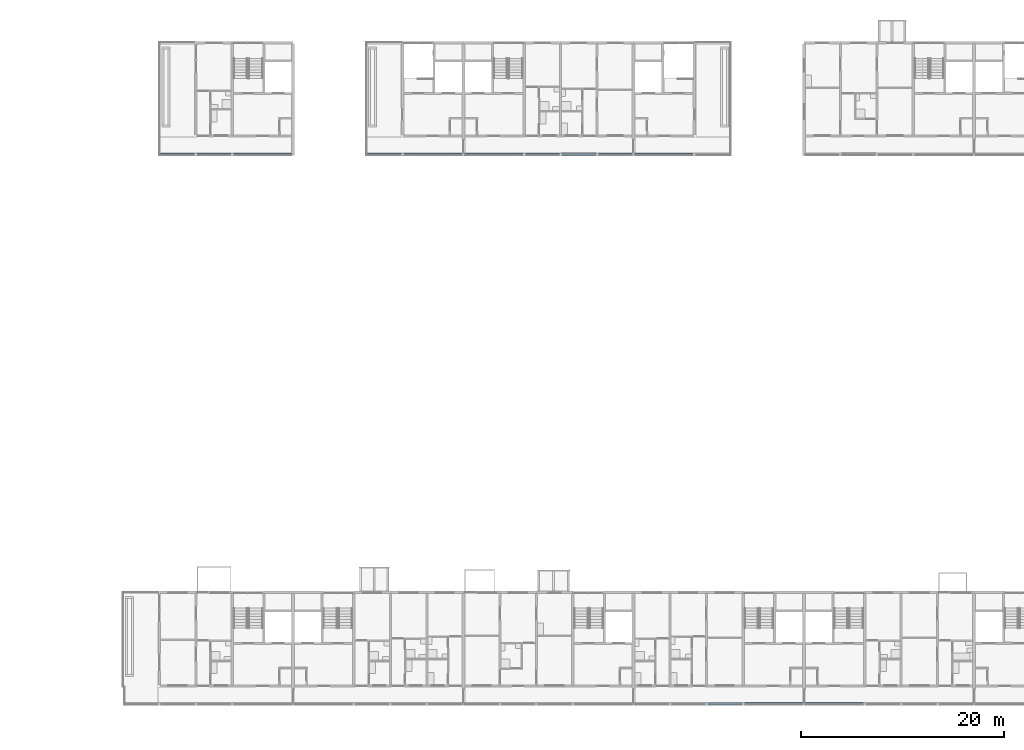
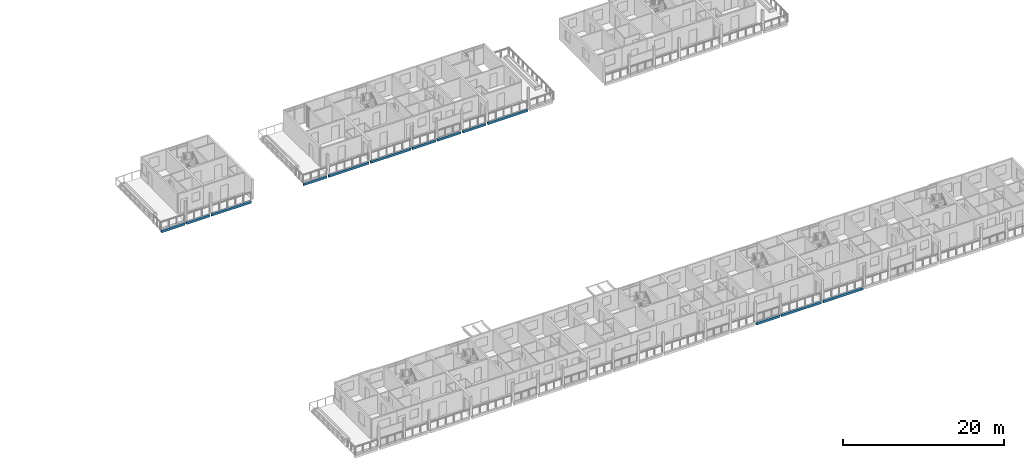
# One storey, part 17 of 87: 13 beams.
"""IFC4 building model written with IfcOpenShell, lengths in metres."""

from ifc_helpers import new_model, si_unit, direction, frame, origin, origin_2d, place, context, subcontext, project, spatial, rectangle, extrude, material, material_profile, profile_set, type_object, element, save


model = new_model("IFC4")

# Units and contexts
model_context = context("Model", 3, precision=1e-05, world=origin(), true_north=direction((0.0, 1.0)))
body_context = subcontext(model_context, "Body", "Model", "MODEL_VIEW")
ifc_project = project(units=[si_unit("LENGTHUNIT", "METRE"), si_unit("AREAUNIT", "SQUARE_METRE"), si_unit("VOLUMEUNIT", "CUBIC_METRE"), si_unit("PLANEANGLEUNIT", "RADIAN"), si_unit("MASSUNIT", "GRAM", prefix="KILO")], contexts=[model_context])

# Site, building, storey
site_placement = place(None, origin())
site = spatial("IfcSite", under=ifc_project, at=site_placement, CompositionType="ELEMENT")
building_placement = place(site_placement, origin())
building = spatial("IfcBuilding", under=site, at=building_placement, Name="Ridgestep Commons", CompositionType="ELEMENT")
storey_placement = place(building_placement, frame((0.0, 0.0, 27.0)))
storey = spatial("IfcBuildingStorey", under=building, at=storey_placement, Name="L09", CompositionType="ELEMENT", Elevation=27.0)

# Beams
ifc_material = material(Name="Precast concrete C40/50", Category="concrete")
ifc_material_profile = material_profile(ifc_material, rectangle(XDim=0.25, YDim=0.35009765625, at=origin_2d()), Name="PC 250x350")
ifc_profile_set = profile_set([ifc_material_profile], Name="Precast concrete C40/50")
beam_type = type_object("IfcBeamType", Name="Loggia edge beam 250 x 350", PredefinedType="SPANDREL", material=ifc_profile_set)
for number, where, z_axis, x_axis, name in (
    (1, (150.52490234375, 66.125, -0.375), (1.0, 0.0, 0.0), (0.0, 1.0, 0.0), "Loggia edge beam C1T2 L09"),
    (2, (154.125, 66.125, -0.375), (1.0, 0.0, 0.0), (0.0, 1.0, 0.0), "Loggia edge beam C1T3 L09"),
):
    element("IfcBeam", number, at=place(storey_placement, frame(where, z_axis=z_axis, x_axis=x_axis)), inside=storey, type_object=beam_type, Name=name, PredefinedType="SPANDREL", context=body_context, shape_type="SweptSolid", body=[
        extrude(rectangle(XDim=0.25, YDim=0.35009765625, at=origin_2d()), origin(), (0.0, 0.0, 1.0), 3.35009765625),
    ])
beam_1_placement = place(storey_placement, frame((157.72509765625, 66.125, -0.375), z_axis=(1.0, 0.0, 0.0), x_axis=(0.0, 1.0, 0.0)))
element("IfcBeam", 3, at=beam_1_placement, inside=storey, type_object=beam_type, Name="Loggia edge beam C1C L09", PredefinedType="SPANDREL", context=body_context, shape_type="SweptSolid", body=[
    extrude(rectangle(XDim=0.25, YDim=0.35009765625, at=origin_2d()), origin(), (0.0, 0.0, 1.0), 5.724853515625),
])
beam_2_placement = place(storey_placement, frame((170.925048828125, 66.125, -0.375), z_axis=(1.0, 0.0, 0.0), x_axis=(0.0, 1.0, 0.0)))
element("IfcBeam", 4, at=beam_2_placement, inside=storey, type_object=beam_type, Name="Loggia edge beam C2T3 L09", PredefinedType="SPANDREL", context=body_context, shape_type="SweptSolid", body=[
    extrude(rectangle(XDim=0.25, YDim=0.35009765625, at=origin_2d()), origin(), (0.0, 0.0, 1.0), 3.349853515625),
])
beam_3_placement = place(storey_placement, frame((174.52490234375, 66.125, -0.375), z_axis=(1.0, 0.0, 0.0), x_axis=(0.0, 1.0, 0.0)))
element("IfcBeam", 5, at=beam_3_placement, inside=storey, type_object=beam_type, Name="Loggia edge beam C2C L09", PredefinedType="SPANDREL", context=body_context, shape_type="SweptSolid", body=[
    extrude(rectangle(XDim=0.25, YDim=0.35009765625, at=origin_2d()), origin(), (0.0, 0.0, 1.0), 5.72509765625),
])
beam_4_placement = place(storey_placement, frame((180.550048828125, 66.125, -0.375), z_axis=(1.0, 0.0, 0.0), x_axis=(0.0, 1.0, 0.0)))
element("IfcBeam", 6, at=beam_4_placement, inside=storey, type_object=beam_type, Name="Loggia edge beam C3C L09", PredefinedType="SPANDREL", context=body_context, shape_type="SweptSolid", body=[
    extrude(rectangle(XDim=0.25, YDim=0.35009765625, at=origin_2d()), origin(), (0.0, 0.0, 1.0), 5.724853515625),
])
for number, where, z_axis, x_axis, name in (
    (7, (186.52490234375, 66.125, -0.375), (1.0, 0.0, 0.0), (0.0, 1.0, 0.0), "Loggia edge beam C3T3 L09"),
    (8, (190.125, 66.125, -0.375), (1.0, 0.0, 0.0), (0.0, 1.0, 0.0), "Loggia edge beam C3T2 L09"),
):
    element("IfcBeam", number, at=place(storey_placement, frame(where, z_axis=z_axis, x_axis=x_axis)), inside=storey, type_object=beam_type, Name=name, PredefinedType="SPANDREL", context=body_context, shape_type="SweptSolid", body=[
        extrude(rectangle(XDim=0.25, YDim=0.35009765625, at=origin_2d()), origin(), (0.0, 0.0, 1.0), 3.35009765625),
    ])
beam_5_placement = place(storey_placement, frame((193.72509765625, 66.125, -0.375), z_axis=(1.0, 0.0, 0.0), x_axis=(0.0, 1.0, 0.0)))
element("IfcBeam", 9, at=beam_5_placement, inside=storey, type_object=beam_type, Name="Loggia edge beam C3T1 L09", PredefinedType="SPANDREL", context=body_context, shape_type="SweptSolid", body=[
    extrude(rectangle(XDim=0.25, YDim=0.35009765625, at=origin_2d()), origin(), (0.0, 0.0, 1.0), 3.324951171875),
])
beam_6_placement = place(storey_placement, frame((197.35009765625, 66.125, -0.375), z_axis=(1.0, 0.0, 0.0), x_axis=(0.0, 1.0, 0.0)))
element("IfcBeam", 10, at=beam_6_placement, inside=storey, type_object=beam_type, Name="Loggia edge beam C4C L09", PredefinedType="SPANDREL", context=body_context, shape_type="SweptSolid", body=[
    extrude(rectangle(XDim=0.25, YDim=0.35009765625, at=origin_2d()), origin(), (0.0, 0.0, 1.0), 5.724853515625),
])
beam_7_placement = place(storey_placement, frame((204.52490234375, 11.875, -0.375), z_axis=(1.0, 0.0, 0.0), x_axis=(0.0, 1.0, 0.0)))
element("IfcBeam", 11, at=beam_7_placement, inside=storey, type_object=beam_type, Name="Loggia edge beam D4T3 L09", PredefinedType="SPANDREL", context=body_context, shape_type="SweptSolid", body=[
    extrude(rectangle(XDim=0.25, YDim=0.35009765625, at=origin_2d()), origin(), (0.0, 0.0, 1.0), 3.35009765625),
])
for number, where, z_axis, x_axis, name in (
    (12, (208.125, 11.875, -0.375), (1.0, 0.0, 0.0), (0.0, 1.0, 0.0), "Loggia edge beam D4C L09"),
    (13, (214.14990234375, 11.875, -0.375), (1.0, 0.0, 0.0), (0.0, 1.0, 0.0), "Loggia edge beam D5C L09"),
):
    element("IfcBeam", number, at=place(storey_placement, frame(where, z_axis=z_axis, x_axis=x_axis)), inside=storey, type_object=beam_type, Name=name, PredefinedType="SPANDREL", context=body_context, shape_type="SweptSolid", body=[
        extrude(rectangle(XDim=0.25, YDim=0.35009765625, at=origin_2d()), origin(), (0.0, 0.0, 1.0), 5.72509765625),
    ])

save(model, "model.ifc")
